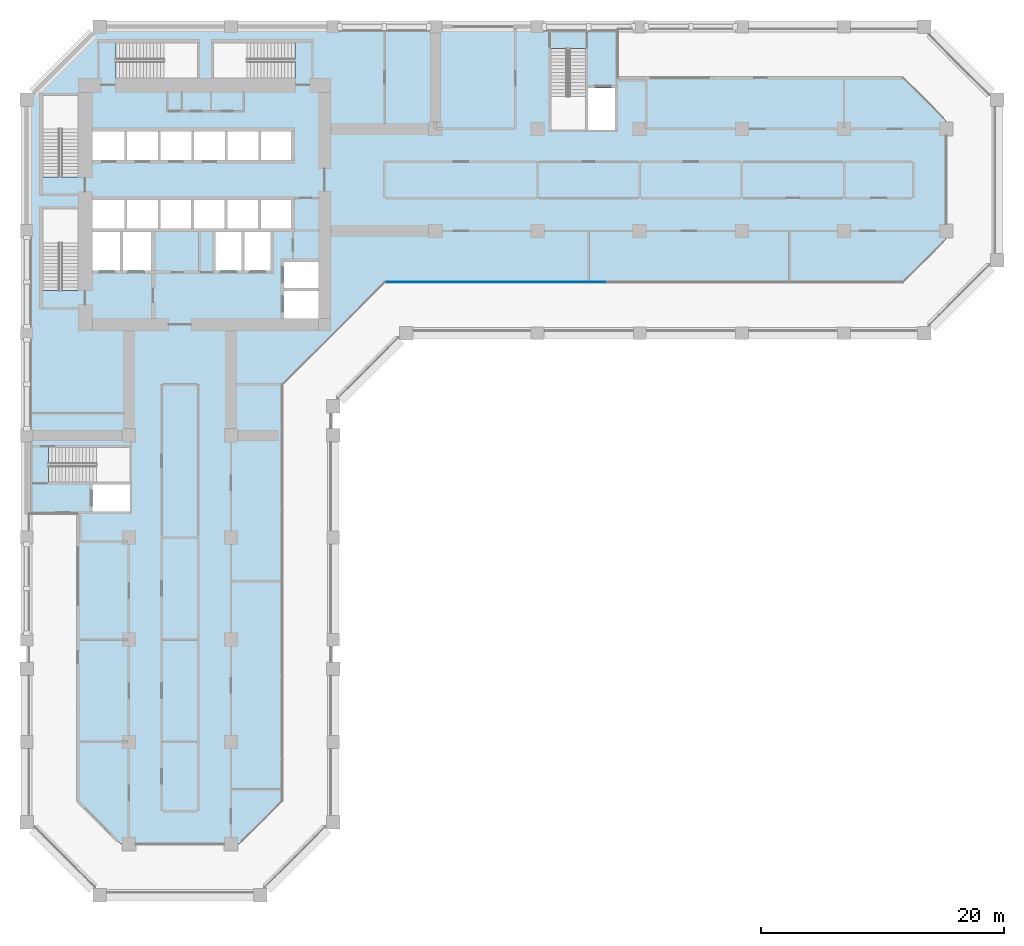
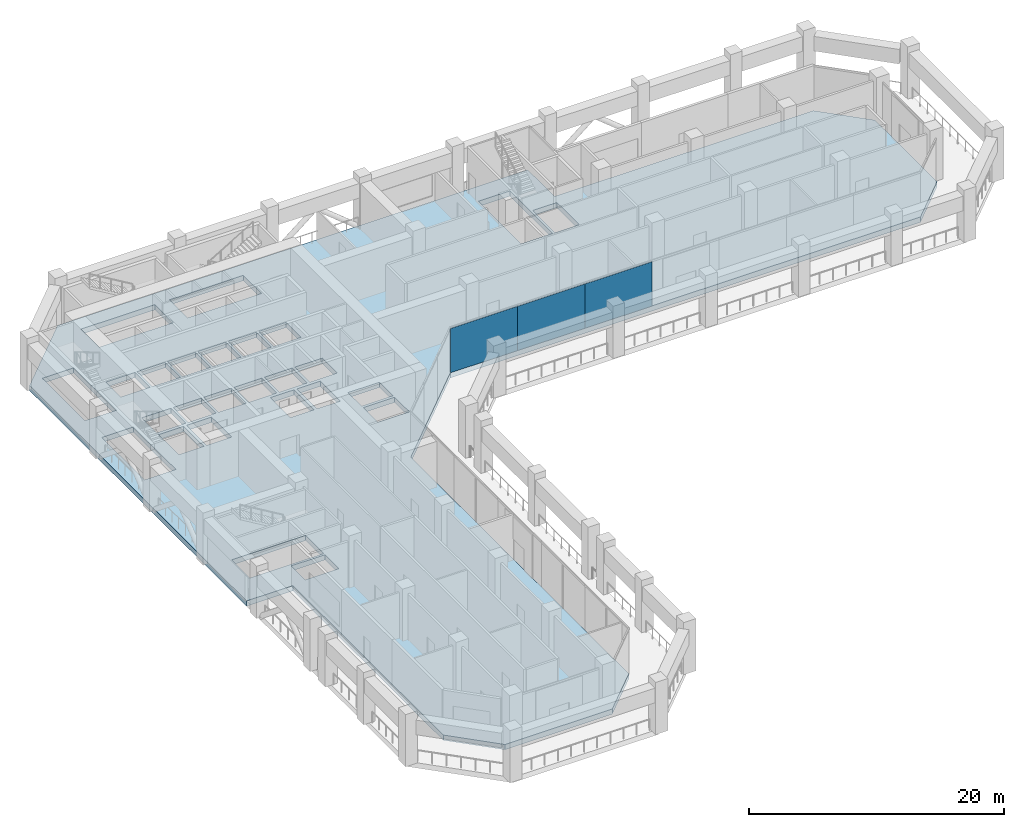
# One storey, part 4 of 19: 3 plates, 1 slab, 1 element without a shape of its own.
"""IFC4 building model written with IfcOpenShell, lengths in metres."""

from ifc_helpers import new_model, si_unit, direction, frame, origin, origin_2d, place, context, subcontext, project, spatial, polyline, rectangle, outline, extrude, material, layer, layer_set, type_object, element, aggregate, save


model = new_model("IFC4")

# Units and contexts
model_context = context("Model", 3, precision=1e-05, world=origin(), true_north=direction((0.0, 1.0)))
body_context = subcontext(model_context, "Body", "Model", "MODEL_VIEW")
ifc_project = project(units=[si_unit("LENGTHUNIT", "METRE"), si_unit("AREAUNIT", "SQUARE_METRE"), si_unit("VOLUMEUNIT", "CUBIC_METRE"), si_unit("PLANEANGLEUNIT", "RADIAN"), si_unit("MASSUNIT", "GRAM", prefix="KILO")], contexts=[model_context])

# Site, building, storey
site_placement = place(None, origin())
site = spatial("IfcSite", under=ifc_project, at=site_placement, CompositionType="ELEMENT")
building_placement = place(site_placement, origin())
building = spatial("IfcBuilding", under=site, at=building_placement, Name="Kawkab Arch Medical Tower", CompositionType="ELEMENT")
storey_placement = place(building_placement, frame((0.0, 0.0, 93.800048828125)))
storey = spatial("IfcBuildingStorey", under=building, at=storey_placement, Name="L21", CompositionType="ELEMENT", Elevation=93.800048828125)

# Curtain wall, plates
ifc_material_1 = material(Name="Bronze anodised aluminium curtain wall frame", Category="aluminium")
ifc_layer_1 = layer(ifc_material_1, 0.159912109375)
ifc_layer_set_1 = layer_set([ifc_layer_1], Name="Bronze anodised aluminium curtain wall frame")
curtain_wall_type = type_object("IfcCurtainWallType", Name="CW4 refuge floor fire-protected glazing", PredefinedType="NOTDEFINED", material=ifc_layer_set_1)
curtain_wall_placement = place(storey_placement, origin())
curtain_wall = element("IfcCurtainWall", 1, at=curtain_wall_placement, inside=storey, type_object=curtain_wall_type, Name="CW4 Refuge floor fire-protected glazing R11", PredefinedType="NOTDEFINED")
ifc_material_2 = material(Name="Fire-resisting laminated glass", Category="glass")
ifc_layer_2 = layer(ifc_material_2, 0.0400390625)
ifc_layer_set_2 = layer_set([ifc_layer_2], Name="Fire-resisting laminated glass")
plate_type = type_object("IfcPlateType", Name="CW4 glazing unit 40", PredefinedType="CURTAIN_PANEL", material=ifc_layer_set_2)
plate_1_placement = place(storey_placement, frame((32.5029296875, -21.0, 0.0), z_axis=(0.0, 0.0, 1.0), x_axis=(1.0, 0.0, 0.0)))
plate_1 = element("IfcPlate", 2, at=plate_1_placement, type_object=plate_type, Name="CW4 glazing unit 1.1", PredefinedType="CURTAIN_PANEL", context=body_context, shape_type="SweptSolid", body=[
    extrude(rectangle(XDim=6.085693359375, YDim=0.0400390625, at=origin_2d()), origin(), (0.0, 0.0, 1.0), 4.239990234375),
])
plate_2_placement = place(storey_placement, frame((38.588623046875, -21.0, 0.0), z_axis=(0.0, 0.0, 1.0), x_axis=(1.0, 0.0, 0.0)))
plate_2 = element("IfcPlate", 3, at=plate_2_placement, type_object=plate_type, Name="CW4 glazing unit 2.1", PredefinedType="CURTAIN_PANEL", context=body_context, shape_type="SweptSolid", body=[
    extrude(rectangle(XDim=6.085693359375, YDim=0.0400390625, at=origin_2d()), origin(), (0.0, 0.0, 1.0), 4.239990234375),
])
plate_3_placement = place(storey_placement, frame((44.67431640625, -21.0, 0.0), z_axis=(0.0, 0.0, 1.0), x_axis=(1.0, 0.0, 0.0)))
plate_3 = element("IfcPlate", 4, at=plate_3_placement, type_object=plate_type, Name="CW4 glazing unit 3.1", PredefinedType="CURTAIN_PANEL", context=body_context, shape_type="SweptSolid", body=[
    extrude(rectangle(XDim=6.085693359375, YDim=0.0400390625, at=origin_2d()), origin(), (0.0, 0.0, 1.0), 4.239990234375),
])
aggregate(curtain_wall, [plate_1, plate_2, plate_3])

# Slab
ifc_material_3 = material(Name="Concrete C45/55", Category="concrete")
ifc_layer_3 = layer(ifc_material_3, 0.5)
ifc_layer_set_3 = layer_set([ifc_layer_3], Name="Concrete C45/55")
slab_type = type_object("IfcSlabType", Name="Transfer plate 500 C45/55", PredefinedType="FLOOR", material=ifc_layer_set_3)
slab_placement = place(storey_placement, frame((0.0, 0.0, -0.5)))
element("IfcSlab", 5, at=slab_placement, inside=storey, type_object=slab_type, Name="Floor slab L21", PredefinedType="FLOOR", context=body_context, shape_type="SweptSolid", body=[
    extrude(outline(polyline([(48.60107421875, 0.0), (48.60107421875, -0.300048828125), (48.60107421875, -4.199951171875), (72.06005859375, -4.199951171875), (75.60009765625, -7.739990234375), (75.60009765625, -17.4599609375), (72.06005859375, -21.0), (29.4599609375, -21.0), (21.0, -29.4599609375), (21.0, -63.659912109375), (17.4599609375, -67.199951171875), (17.4599609375, -67.200927734375), (7.739990234375, -67.200927734375), (7.739990234375, -67.199951171875), (4.199951171875, -63.659912109375), (4.199951171875, -40.050048828125), (0.300048828125, -40.050048828125), (0.0, -40.050048828125), (0.0, -6.0), (6.0, 0.0), (48.60107421875, 0.0)]), holes=[polyline([(5.425048828125, -37.64990234375), (5.425048828125, -39.85009765625), (8.5, -39.85009765625), (8.5, -37.64990234375), (5.425048828125, -37.64990234375)]), polyline([(1.800048828125, -37.449951171875), (8.5, -37.449951171875), (8.5, -34.60009765625), (1.800048828125, -34.60009765625), (1.800048828125, -37.449951171875)]), polyline([(5.39990234375, -16.89990234375), (5.39990234375, -20.050048828125), (7.675048828125, -20.050048828125), (7.675048828125, -16.89990234375), (5.39990234375, -16.89990234375)]), polyline([(10.199951171875, -16.89990234375), (7.925048828125, -16.89990234375), (7.925048828125, -20.050048828125), (10.199951171875, -20.050048828125), (10.199951171875, -16.89990234375)]), polyline([(4.199951171875, -21.699951171875), (4.199951171875, -15.0), (1.35009765625, -15.0), (1.35009765625, -21.699951171875), (4.199951171875, -21.699951171875)]), polyline([(5.39990234375, -14.25), (5.39990234375, -16.60009765625), (8.050048828125, -16.60009765625), (8.050048828125, -14.25), (5.39990234375, -14.25)]), polyline([(10.800048828125, -14.25), (8.25, -14.25), (8.25, -16.60009765625), (10.800048828125, -16.60009765625), (10.800048828125, -14.25)]), polyline([(11.0, -14.25), (11.0, -16.60009765625), (13.52490234375, -16.60009765625), (13.52490234375, -14.25), (11.0, -14.25)]), polyline([(5.39990234375, -8.60009765625), (5.39990234375, -10.949951171875), (8.050048828125, -10.949951171875), (8.050048828125, -8.60009765625), (5.39990234375, -8.60009765625)]), polyline([(10.800048828125, -8.60009765625), (8.25, -8.60009765625), (8.25, -10.949951171875), (10.800048828125, -10.949951171875), (10.800048828125, -8.60009765625)]), polyline([(11.0, -10.949951171875), (13.550048828125, -10.949951171875), (13.550048828125, -8.60009765625), (11.0, -8.60009765625), (11.0, -10.949951171875)]), polyline([(4.199951171875, -12.35009765625), (4.199951171875, -5.64990234375), (1.35009765625, -5.64990234375), (1.35009765625, -12.35009765625), (4.199951171875, -12.35009765625)]), polyline([(7.35009765625, -4.199951171875), (14.050048828125, -4.199951171875), (14.050048828125, -1.35009765625), (7.35009765625, -1.35009765625), (7.35009765625, -4.199951171875)]), polyline([(24.0, -21.72509765625), (21.14990234375, -21.72509765625), (21.14990234375, -24.0), (24.0, -24.0), (24.0, -21.72509765625)]), polyline([(24.0, -21.47509765625), (24.0, -19.35009765625), (21.14990234375, -19.35009765625), (21.14990234375, -21.47509765625), (24.0, -21.47509765625)]), polyline([(15.52490234375, -16.89990234375), (15.52490234375, -20.050048828125), (17.675048828125, -20.050048828125), (17.675048828125, -16.89990234375), (15.52490234375, -16.89990234375)]), polyline([(17.925048828125, -20.050048828125), (20.050048828125, -20.050048828125), (20.050048828125, -16.89990234375), (17.925048828125, -16.89990234375), (17.925048828125, -20.050048828125)]), polyline([(16.27490234375, -14.25), (13.77490234375, -14.25), (13.77490234375, -16.60009765625), (16.27490234375, -16.60009765625), (16.27490234375, -14.25)]), polyline([(19.02490234375, -14.25), (16.52490234375, -14.25), (16.52490234375, -16.60009765625), (19.02490234375, -16.60009765625), (19.02490234375, -14.25)]), polyline([(19.27490234375, -16.60009765625), (21.75, -16.60009765625), (21.75, -14.25), (19.27490234375, -14.25), (19.27490234375, -16.60009765625)]), polyline([(13.75, -8.60009765625), (13.75, -10.949951171875), (16.300048828125, -10.949951171875), (16.300048828125, -8.60009765625), (13.75, -8.60009765625)]), polyline([(16.5, -8.60009765625), (16.5, -10.949951171875), (19.050048828125, -10.949951171875), (19.050048828125, -8.60009765625), (16.5, -8.60009765625)]), polyline([(19.25, -10.949951171875), (21.75, -10.949951171875), (21.75, -8.60009765625), (19.25, -8.60009765625), (19.25, -10.949951171875)]), polyline([(46.14990234375, -5.02490234375), (46.14990234375, -8.5), (48.35009765625, -8.5), (48.35009765625, -5.02490234375), (46.14990234375, -5.02490234375)]), polyline([(43.10009765625, -1.800048828125), (43.10009765625, -8.5), (45.949951171875, -8.5), (45.949951171875, -1.800048828125), (43.10009765625, -1.800048828125)]), polyline([(22.050048828125, -1.35009765625), (15.35009765625, -1.35009765625), (15.35009765625, -4.199951171875), (22.050048828125, -4.199951171875), (22.050048828125, -1.35009765625)])]), origin(), (0.0, 0.0, 1.0), 0.5),
])

save(model, "model.ifc")
